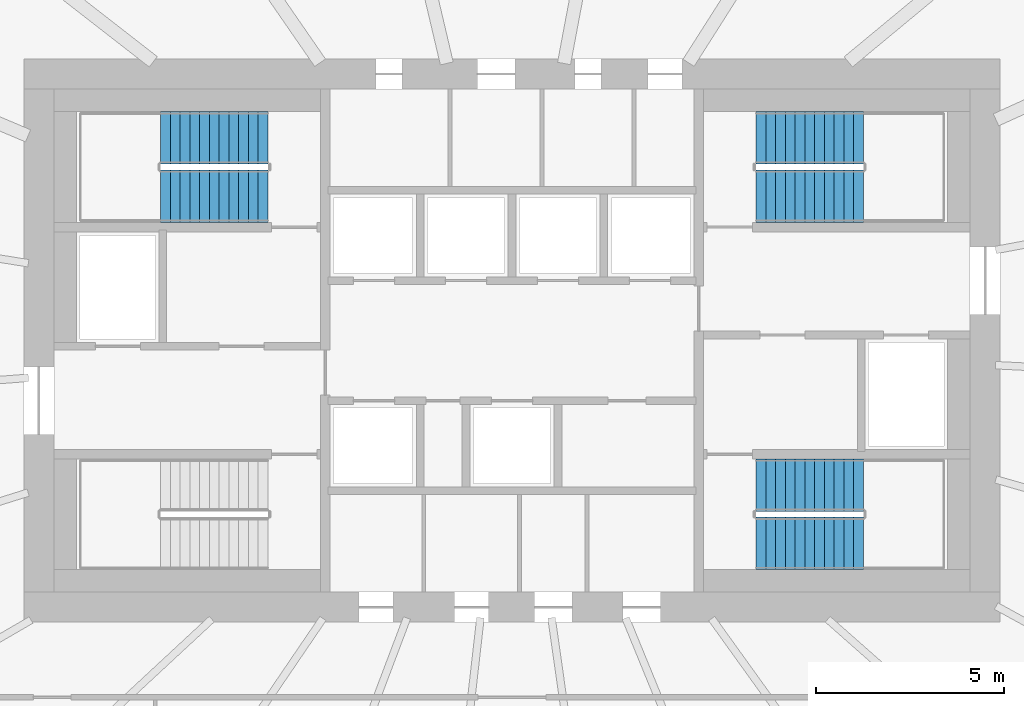
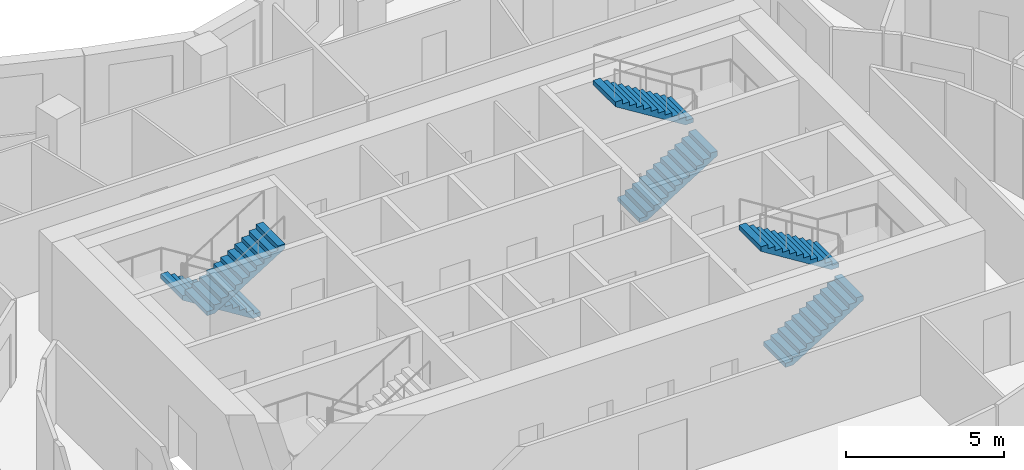
# One storey, part 10 of 11: 6 stair flights, 3 elements without a shape of their own.
"""IFC4 building model written with IfcOpenShell, lengths in metres."""

from ifc_helpers import new_model, si_unit, direction, frame, origin, place, context, subcontext, project, spatial, polyline, outline, extrude, material, type_object, element, aggregate, save


model = new_model("IFC4")

# Units and contexts
model_context = context("Model", 3, precision=1e-05, world=origin(), true_north=direction((0.0, 1.0)))
body_context = subcontext(model_context, "Body", "Model", "MODEL_VIEW")
ifc_project = project(units=[si_unit("LENGTHUNIT", "METRE"), si_unit("AREAUNIT", "SQUARE_METRE"), si_unit("VOLUMEUNIT", "CUBIC_METRE"), si_unit("PLANEANGLEUNIT", "RADIAN"), si_unit("MASSUNIT", "GRAM", prefix="KILO")], contexts=[model_context])

# Site, building, storey
site_placement = place(None, origin())
site = spatial("IfcSite", under=ifc_project, at=site_placement, CompositionType="ELEMENT")
building_placement = place(site_placement, origin())
building = spatial("IfcBuilding", under=site, at=building_placement, Name="Rubra Terraces Tower", CompositionType="ELEMENT")
storey_placement = place(building_placement, frame((0.0, 0.0, 177.89990234375)))
storey = spatial("IfcBuildingStorey", under=building, at=storey_placement, Name="L43", CompositionType="ELEMENT", Elevation=177.89990234375)

# Stair, stair flights
ifc_material = material(Name="Concrete C40", Category="concrete")
stair_type = type_object("IfcStairType", Name="Core stair 1400", PredefinedType="HALF_TURN_STAIR", material=ifc_material)
stair_1_placement = place(storey_placement, origin())
stair_1 = element("IfcStair", 1, at=stair_1_placement, inside=storey, type_object=stair_type, Name="L43 Exit stair S2", PredefinedType="HALF_TURN_STAIR")
stair_flight_type = type_object("IfcStairFlightType", Name="Core stair flight 1400", PredefinedType="STRAIGHT", material=ifc_material)
stair_flight_1_placement = place(storey_placement, frame((-6.5, 9.89990234375, 0.0), z_axis=(0.0, 0.0, 1.0), x_axis=(-1.0, 0.0, 0.0)))
stair_flight_1 = element("IfcStairFlight", 2, at=stair_flight_1_placement, type_object=stair_flight_type, Name="S2 flight 1", NumberOfRisers=12, NumberOfTreads=11, PredefinedType="STRAIGHT", RiserHeight=0.1625, TreadLength=0.26, context=body_context, shape_type="SweptSolid", body=[
    extrude(outline(polyline([(0.0, 0.0), (0.0, 0.16259765625), (0.260009765625, 0.16259765625), (0.260009765625, 0.324951171875), (0.52001953125, 0.324951171875), (0.52001953125, 0.487548828125), (0.780029296875, 0.487548828125), (0.780029296875, 0.64990234375), (1.0400390625, 0.64990234375), (1.0400390625, 0.8125), (1.300048828125, 0.8125), (1.300048828125, 0.97509765625), (1.56005859375, 0.97509765625), (1.56005859375, 1.137451171875), (1.820068359375, 1.137451171875), (1.820068359375, 1.300048828125), (2.080078125, 1.300048828125), (2.080078125, 1.46240234375), (2.340087890625, 1.46240234375), (2.340087890625, 1.625), (2.60009765625, 1.625), (2.60009765625, 1.78759765625), (2.860107421875, 1.78759765625), (2.860107421875, 1.949951171875), (2.860107421875, 1.61083984375), (0.28271484375, 0.0), (0.0, 0.0)])), frame((0.0, 0.699951171875, 0.0), z_axis=(0.0, -1.0, 0.0), x_axis=(1.0, 0.0, 0.0)), (0.0, 0.0, 1.0), 1.39990234375),
])
stair_flight_2_placement = place(storey_placement, frame((-9.360107421875, 8.35009765625, 1.9501953125), z_axis=(0.0, 0.0, 1.0), x_axis=(1.0, 0.0, 0.0)))
stair_flight_2 = element("IfcStairFlight", 3, at=stair_flight_2_placement, type_object=stair_flight_type, Name="S2 flight 2", NumberOfRisers=12, NumberOfTreads=11, PredefinedType="STRAIGHT", RiserHeight=0.1625, TreadLength=0.26, context=body_context, shape_type="SweptSolid", body=[
    extrude(outline(polyline([(0.0, 0.0), (0.0, 0.16259765625), (0.260009765625, 0.16259765625), (0.260009765625, 0.324951171875), (0.52001953125, 0.324951171875), (0.52001953125, 0.487548828125), (0.780029296875, 0.487548828125), (0.780029296875, 0.64990234375), (1.0400390625, 0.64990234375), (1.0400390625, 0.8125), (1.300048828125, 0.8125), (1.300048828125, 0.97509765625), (1.56005859375, 0.97509765625), (1.56005859375, 1.137451171875), (1.820068359375, 1.137451171875), (1.820068359375, 1.300048828125), (2.080078125, 1.300048828125), (2.080078125, 1.46240234375), (2.340087890625, 1.46240234375), (2.340087890625, 1.625), (2.60009765625, 1.625), (2.60009765625, 1.78759765625), (2.860107421875, 1.78759765625), (2.860107421875, 1.949951171875), (2.860107421875, 1.61083984375), (0.28271484375, 0.0), (0.0, 0.0)])), frame((0.0, 0.699951171875, 0.0), z_axis=(0.0, -1.0, 0.0), x_axis=(1.0, 0.0, 0.0)), (0.0, 0.0, 1.0), 1.39990234375),
])
aggregate(stair_1, [stair_flight_1, stair_flight_2])

stair_2_placement = place(storey_placement, origin())
stair_2 = element("IfcStair", 4, at=stair_2_placement, inside=storey, type_object=stair_type, Name="L43 Exit stair S3", PredefinedType="HALF_TURN_STAIR")
stair_flight_3_placement = place(storey_placement, frame((6.5, 8.35009765625, 0.0), z_axis=(0.0, 0.0, 1.0), x_axis=(1.0, 0.0, 0.0)))
stair_flight_3 = element("IfcStairFlight", 5, at=stair_flight_3_placement, type_object=stair_flight_type, Name="S3 flight 1", NumberOfRisers=12, NumberOfTreads=11, PredefinedType="STRAIGHT", RiserHeight=0.1625, TreadLength=0.26, context=body_context, shape_type="SweptSolid", body=[
    extrude(outline(polyline([(0.0, 0.0), (0.0, 0.16259765625), (0.260009765625, 0.16259765625), (0.260009765625, 0.324951171875), (0.52001953125, 0.324951171875), (0.52001953125, 0.487548828125), (0.780029296875, 0.487548828125), (0.780029296875, 0.64990234375), (1.0400390625, 0.64990234375), (1.0400390625, 0.8125), (1.300048828125, 0.8125), (1.300048828125, 0.97509765625), (1.56005859375, 0.97509765625), (1.56005859375, 1.137451171875), (1.820068359375, 1.137451171875), (1.820068359375, 1.300048828125), (2.080078125, 1.300048828125), (2.080078125, 1.46240234375), (2.340087890625, 1.46240234375), (2.340087890625, 1.625), (2.60009765625, 1.625), (2.60009765625, 1.78759765625), (2.860107421875, 1.78759765625), (2.860107421875, 1.949951171875), (2.860107421875, 1.61083984375), (0.28271484375, 0.0), (0.0, 0.0)])), frame((0.0, 0.699951171875, 0.0), z_axis=(0.0, -1.0, 0.0), x_axis=(1.0, 0.0, 0.0)), (0.0, 0.0, 1.0), 1.39990234375),
])
stair_flight_4_placement = place(storey_placement, frame((9.360107421875, 9.89990234375, 1.9501953125), z_axis=(0.0, 0.0, 1.0), x_axis=(-1.0, 0.0, 0.0)))
stair_flight_4 = element("IfcStairFlight", 6, at=stair_flight_4_placement, type_object=stair_flight_type, Name="S3 flight 2", NumberOfRisers=12, NumberOfTreads=11, PredefinedType="STRAIGHT", RiserHeight=0.1625, TreadLength=0.26, context=body_context, shape_type="SweptSolid", body=[
    extrude(outline(polyline([(0.0, 0.0), (0.0, 0.16259765625), (0.260009765625, 0.16259765625), (0.260009765625, 0.324951171875), (0.52001953125, 0.324951171875), (0.52001953125, 0.487548828125), (0.780029296875, 0.487548828125), (0.780029296875, 0.64990234375), (1.0400390625, 0.64990234375), (1.0400390625, 0.8125), (1.300048828125, 0.8125), (1.300048828125, 0.97509765625), (1.56005859375, 0.97509765625), (1.56005859375, 1.137451171875), (1.820068359375, 1.137451171875), (1.820068359375, 1.300048828125), (2.080078125, 1.300048828125), (2.080078125, 1.46240234375), (2.340087890625, 1.46240234375), (2.340087890625, 1.625), (2.60009765625, 1.625), (2.60009765625, 1.78759765625), (2.860107421875, 1.78759765625), (2.860107421875, 1.949951171875), (2.860107421875, 1.61083984375), (0.28271484375, 0.0), (0.0, 0.0)])), frame((0.0, 0.699951171875, 0.0), z_axis=(0.0, -1.0, 0.0), x_axis=(1.0, 0.0, 0.0)), (0.0, 0.0, 1.0), 1.39990234375),
])
aggregate(stair_2, [stair_flight_3, stair_flight_4])

stair_3_placement = place(storey_placement, origin())
stair_3 = element("IfcStair", 7, at=stair_3_placement, inside=storey, type_object=stair_type, Name="L43 Exit stair S4", PredefinedType="HALF_TURN_STAIR")
stair_flight_5_placement = place(storey_placement, frame((6.5, -0.89990234375, 0.0), z_axis=(0.0, 0.0, 1.0), x_axis=(1.0, 0.0, 0.0)))
stair_flight_5 = element("IfcStairFlight", 8, at=stair_flight_5_placement, type_object=stair_flight_type, Name="S4 flight 1", NumberOfRisers=12, NumberOfTreads=11, PredefinedType="STRAIGHT", RiserHeight=0.1625, TreadLength=0.26, context=body_context, shape_type="SweptSolid", body=[
    extrude(outline(polyline([(0.0, 0.0), (0.0, 0.16259765625), (0.260009765625, 0.16259765625), (0.260009765625, 0.324951171875), (0.52001953125, 0.324951171875), (0.52001953125, 0.487548828125), (0.780029296875, 0.487548828125), (0.780029296875, 0.64990234375), (1.0400390625, 0.64990234375), (1.0400390625, 0.8125), (1.300048828125, 0.8125), (1.300048828125, 0.97509765625), (1.56005859375, 0.97509765625), (1.56005859375, 1.137451171875), (1.820068359375, 1.137451171875), (1.820068359375, 1.300048828125), (2.080078125, 1.300048828125), (2.080078125, 1.46240234375), (2.340087890625, 1.46240234375), (2.340087890625, 1.625), (2.60009765625, 1.625), (2.60009765625, 1.78759765625), (2.860107421875, 1.78759765625), (2.860107421875, 1.949951171875), (2.860107421875, 1.61083984375), (0.28271484375, 0.0), (0.0, 0.0)])), frame((0.0, 0.699951171875, 0.0), z_axis=(0.0, -1.0, 0.0), x_axis=(1.0, 0.0, 0.0)), (0.0, 0.0, 1.0), 1.39990234375),
])
stair_flight_6_placement = place(storey_placement, frame((9.360107421875, 0.64990234375, 1.9501953125), z_axis=(0.0, 0.0, 1.0), x_axis=(-1.0, 0.0, 0.0)))
stair_flight_6 = element("IfcStairFlight", 9, at=stair_flight_6_placement, type_object=stair_flight_type, Name="S4 flight 2", NumberOfRisers=12, NumberOfTreads=11, PredefinedType="STRAIGHT", RiserHeight=0.1625, TreadLength=0.26, context=body_context, shape_type="SweptSolid", body=[
    extrude(outline(polyline([(0.0, 0.0), (0.0, 0.16259765625), (0.260009765625, 0.16259765625), (0.260009765625, 0.324951171875), (0.52001953125, 0.324951171875), (0.52001953125, 0.487548828125), (0.780029296875, 0.487548828125), (0.780029296875, 0.64990234375), (1.0400390625, 0.64990234375), (1.0400390625, 0.8125), (1.300048828125, 0.8125), (1.300048828125, 0.97509765625), (1.56005859375, 0.97509765625), (1.56005859375, 1.137451171875), (1.820068359375, 1.137451171875), (1.820068359375, 1.300048828125), (2.080078125, 1.300048828125), (2.080078125, 1.46240234375), (2.340087890625, 1.46240234375), (2.340087890625, 1.625), (2.60009765625, 1.625), (2.60009765625, 1.78759765625), (2.860107421875, 1.78759765625), (2.860107421875, 1.949951171875), (2.860107421875, 1.61083984375), (0.28271484375, 0.0), (0.0, 0.0)])), frame((0.0, 0.699951171875, 0.0), z_axis=(0.0, -1.0, 0.0), x_axis=(1.0, 0.0, 0.0)), (0.0, 0.0, 1.0), 1.39990234375),
])
aggregate(stair_3, [stair_flight_5, stair_flight_6])

save(model, "model.ifc")
